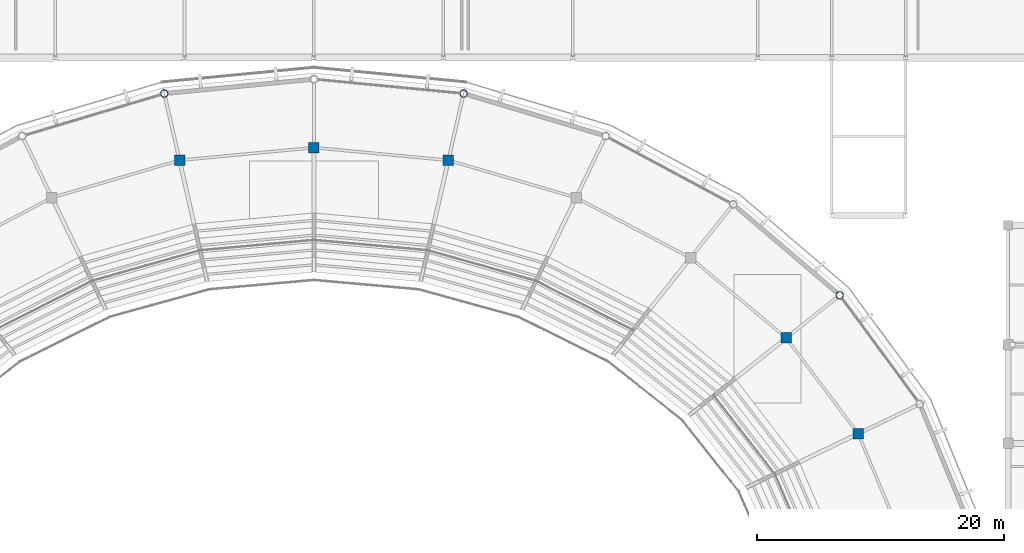
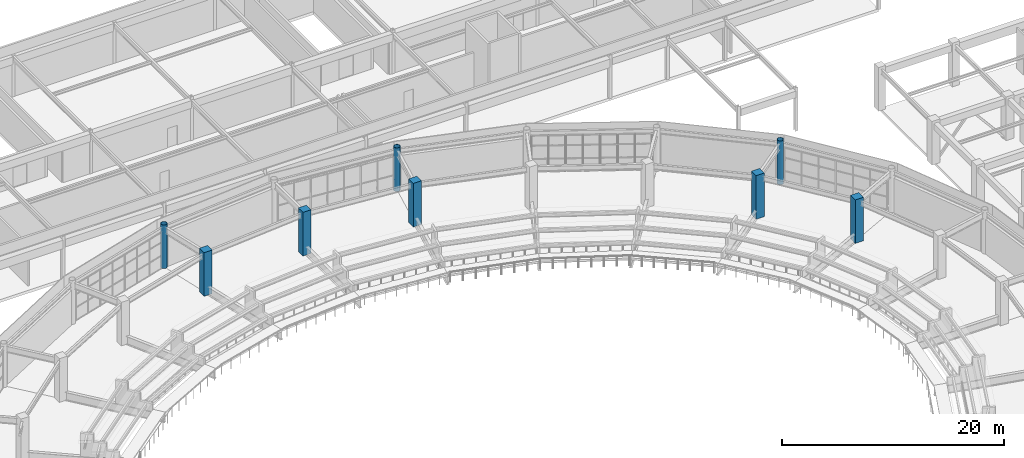
# One storey, part 10 of 122: 8 columns.
"""IFC4 building model written with IfcOpenShell, lengths in metres."""

from ifc_helpers import new_model, si_unit, direction, frame, origin, origin_2d, place, context, subcontext, project, spatial, rectangle, hollow_circle, extrude, material, material_profile, profile_set, type_object, element, save


model = new_model("IFC4")

# Units and contexts
model_context = context("Model", 3, precision=1e-05, world=origin(), true_north=direction((0.0, 1.0)))
body_context = subcontext(model_context, "Body", "Model", "MODEL_VIEW")
ifc_project = project(units=[si_unit("LENGTHUNIT", "METRE"), si_unit("AREAUNIT", "SQUARE_METRE"), si_unit("VOLUMEUNIT", "CUBIC_METRE"), si_unit("PLANEANGLEUNIT", "RADIAN"), si_unit("MASSUNIT", "GRAM", prefix="KILO")], contexts=[model_context])

# Site, building, storey
site_placement = place(None, origin())
site = spatial("IfcSite", under=ifc_project, at=site_placement, CompositionType="ELEMENT")
building_placement = place(site_placement, origin())
building = spatial("IfcBuilding", under=site, at=building_placement, Name="Cuetzalor Civic Arena", CompositionType="ELEMENT")
storey_placement = place(building_placement, frame((0.0, 0.0, 16.199951171875)))
storey = spatial("IfcBuildingStorey", under=building, at=storey_placement, Name="L03", CompositionType="ELEMENT", Elevation=16.199951171875)

# Columns
ifc_material_1 = material(Name="Concrete C40/50", Category="concrete")
ifc_material_profile_1 = material_profile(ifc_material_1, rectangle(XDim=0.85009765625, YDim=0.85009765625, at=origin_2d()), Name="RC 850x850")
ifc_profile_set_1 = profile_set([ifc_material_profile_1], Name="Concrete C40/50")
column_type_1 = type_object("IfcColumnType", Name="ConcreteColumn_850", PredefinedType="COLUMN", material=ifc_profile_set_1)
for number, where, z_axis, x_axis, name in (
    (1, (44.1474609375, 17.789306640625, 0.0), (0.0, 0.0, 1.0), (1.0, 0.0, 0.0), "Column V1-REC-03 L03"),
    (2, (38.309814453125, 25.56298828125, 0.0), (0.0, 0.0, 1.0), (1.0, 0.0, 0.0), "Column V1-REC-04 L03"),
    (3, (10.903564453125, 39.971923828125, 0.0), (0.0, 0.0, 1.0), (1.0, 0.0, 0.0), "Column V1-REC-07 L03"),
    (4, (0.0, 41.0, 0.0), (0.0, 0.0, 1.0), (1.0, 0.0, 0.0), "Column V1-REC-08 L03"),
    (5, (-10.903564453125, 39.971923828125, 0.0), (0.0, 0.0, 1.0), (1.0, 0.0, 0.0), "Column V1-REC-09 L03"),
):
    element("IfcColumn", number, at=place(storey_placement, frame(where, z_axis=z_axis, x_axis=x_axis)), inside=storey, type_object=column_type_1, Name=name, PredefinedType="COLUMN", context=body_context, shape_type="SweptSolid", body=[
        extrude(rectangle(XDim=0.85009765625, YDim=0.85009765625, at=origin_2d()), origin(), (0.0, 0.0, 1.0), 4.800048828125),
    ])
ifc_material_2 = material(Name="Steel S355", Category="steel")
ifc_material_profile_2 = material_profile(ifc_material_2, hollow_circle(Radius=0.304931640625, WallThickness=0.02490234375, at=origin_2d()), Name="CHS 610x25")
ifc_profile_set_2 = profile_set([ifc_material_profile_2], Name="Steel S355")
column_type_2 = type_object("IfcColumnType", Name="SteelDomePylon_CHS610", PredefinedType="COLUMN", material=ifc_profile_set_2)
for number, where, z_axis, x_axis, name in (
    (6, (42.64892578125, 29.0234375, 0.0), (0.0, 0.0, 1.0), (1.0, 0.0, 0.0), "Column V1-PYL-04 L03"),
    (7, (12.138427734375, 45.3828125, 0.0), (0.0, 0.0, 1.0), (1.0, 0.0, 0.0), "Column V1-PYL-07 L03"),
    (8, (-12.138427734375, 45.3828125, 0.0), (0.0, 0.0, 1.0), (1.0, 0.0, 0.0), "Column V1-PYL-09 L03"),
):
    element("IfcColumn", number, at=place(storey_placement, frame(where, z_axis=z_axis, x_axis=x_axis)), inside=storey, type_object=column_type_2, Name=name, PredefinedType="COLUMN", context=body_context, shape_type="SweptSolid", body=[
        extrude(hollow_circle(Radius=0.304931640625, WallThickness=0.02490234375, at=origin_2d()), origin(), (0.0, 0.0, 1.0), 4.800048828125),
    ])

save(model, "model.ifc")
